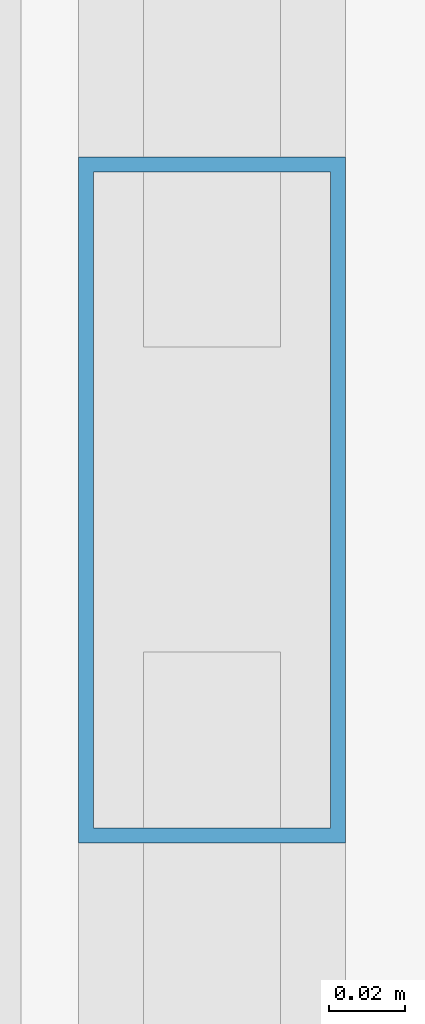
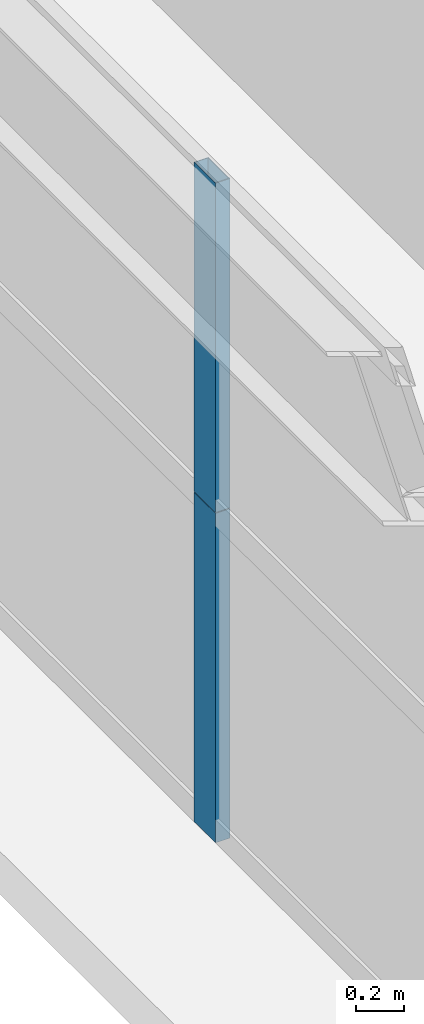
# One storey, part 22 of 41: 2 members, 1 element without a shape of its own.
"""IFC4 building model written with IfcOpenShell, lengths in metres."""

from ifc_helpers import new_model, si_unit, direction, frame, origin, origin_2d, place, context, subcontext, project, spatial, hollow_rectangle, extrude, source, transform, mapped, material, layer, layer_set, material_profile, profile_set, type_object, element, aggregate, save


model = new_model("IFC4")

# Units and contexts
model_context = context("Model", 3, precision=1e-05, world=origin(), true_north=direction((0.0, 1.0)))
body_context = subcontext(model_context, "Body", "Model", "MODEL_VIEW")
ifc_project = project(units=[si_unit("LENGTHUNIT", "METRE"), si_unit("AREAUNIT", "SQUARE_METRE"), si_unit("VOLUMEUNIT", "CUBIC_METRE"), si_unit("PLANEANGLEUNIT", "RADIAN"), si_unit("MASSUNIT", "GRAM", prefix="KILO"), si_unit("THERMODYNAMICTEMPERATUREUNIT", "KELVIN"), si_unit("POWERUNIT", "WATT")], contexts=[model_context])

# Site, building, storey
site_placement = place(None, origin())
site = spatial("IfcSite", under=ifc_project, at=site_placement, CompositionType="ELEMENT")
building_placement = place(site_placement, origin())
building = spatial("IfcBuilding", under=site, at=building_placement, Name="Yuzanri Waterfront Tower", CompositionType="ELEMENT")
storey_placement = place(building_placement, frame((0.0, 0.0, 152.39990234375)))
storey = spatial("IfcBuildingStorey", under=building, at=storey_placement, Name="L40", CompositionType="ELEMENT", Elevation=152.39990234375)

# Curtain wall, members
ifc_material_1 = material(Name="Anodized Architectural Bronze", Category="metal")
ifc_layer = layer(ifc_material_1, 0.159912109375)
ifc_layer_set = layer_set([ifc_layer], Name="Anodized Architectural Bronze")
curtain_wall_type = type_object("IfcCurtainWallType", Name="Anodized Bronze Hotel Upper-Tier Solar-Control Unitized Curtain Wall 7800", PredefinedType="NOTDEFINED", material=ifc_layer_set)
curtain_wall_placement = place(storey_placement, origin())
curtain_wall = element("IfcCurtainWall", 1, at=curtain_wall_placement, inside=storey, type_object=curtain_wall_type, Name="L40 Curtain Wall CW-L40-WR", PredefinedType="NOTDEFINED")
ifc_material_2 = material(Name="Anodized Architectural Bronze", Category="metal")
ifc_material_profile = material_profile(ifc_material_2, hollow_rectangle(XDim=0.070068359375, YDim=0.179931640625, WallThickness=0.00390625, at=origin_2d()), Name="CWM 70x180")
ifc_profile_set = profile_set([ifc_material_profile], Name="Anodized Architectural Bronze")
member_type = type_object("IfcMemberType", Name="Anodized Bronze Standard Curtain-Wall Mullion 70x180", PredefinedType="MULLION", material=ifc_profile_set)
shared_shape = source(origin(), body_context, "Body", "SweptSolid", [
    extrude(hollow_rectangle(XDim=0.070068359375, YDim=0.179931640625, WallThickness=0.00390625, at=origin_2d()), origin(), (0.0, 0.0, 1.0), 1.68798828125),
])
member_1_placement = place(storey_placement, frame((13.550048828125, 34.14990234375, 0.0), z_axis=(0.0, 0.0, 1.0), x_axis=(1.0, 0.0, 0.0)))
member_1 = element("IfcMember", 2, at=member_1_placement, type_object=member_type, Name="CW-L40-WR Lower Mullion 01", PredefinedType="MULLION", context=body_context, shape_type="MappedRepresentation", body=[
    mapped(shared_shape, transform((0.0, 0.0, 0.0), scale=1.0)),
])
member_2_placement = place(storey_placement, frame((13.550048828125, 34.14990234375, 1.692138671875), z_axis=(0.0, 0.0, 1.0), x_axis=(1.0, 0.0, 0.0)))
member_2 = element("IfcMember", 3, at=member_2_placement, type_object=member_type, Name="CW-L40-WR Upper Mullion 01", PredefinedType="MULLION", context=body_context, shape_type="MappedRepresentation", body=[
    mapped(shared_shape, transform((0.0, 0.0, 0.0), scale=1.0)),
])
aggregate(curtain_wall, [member_1, member_2])

save(model, "model.ifc")
